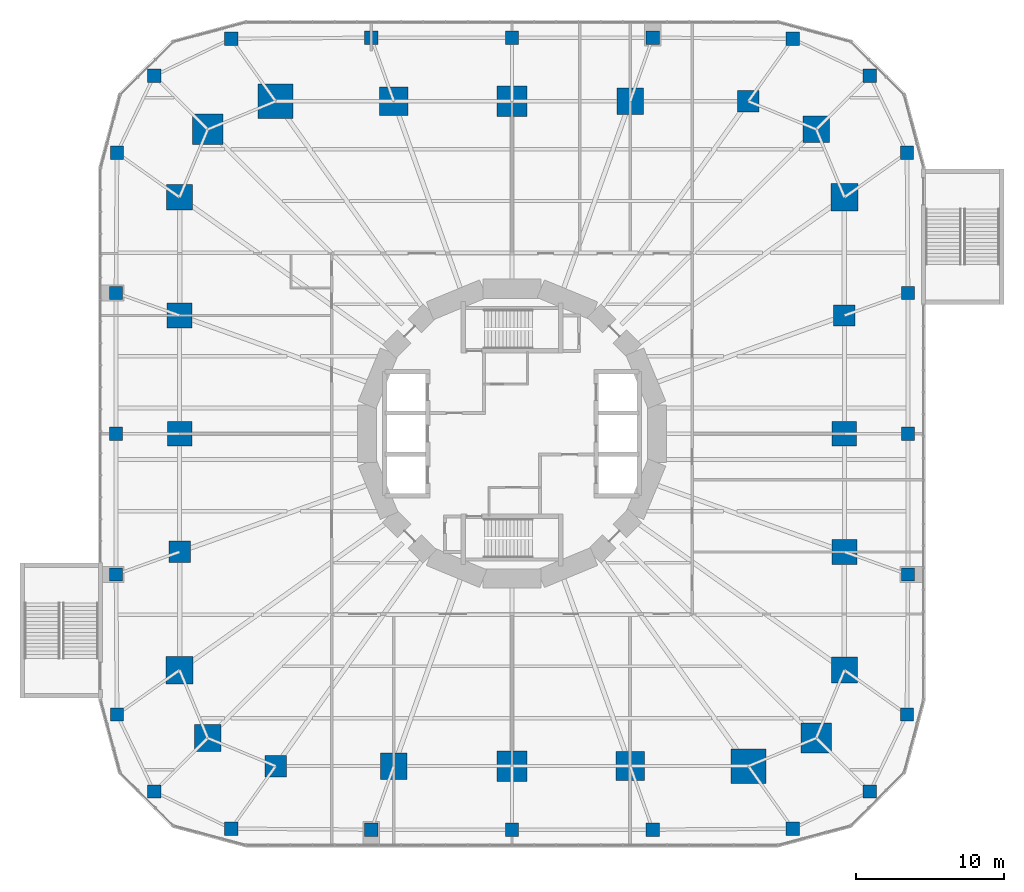
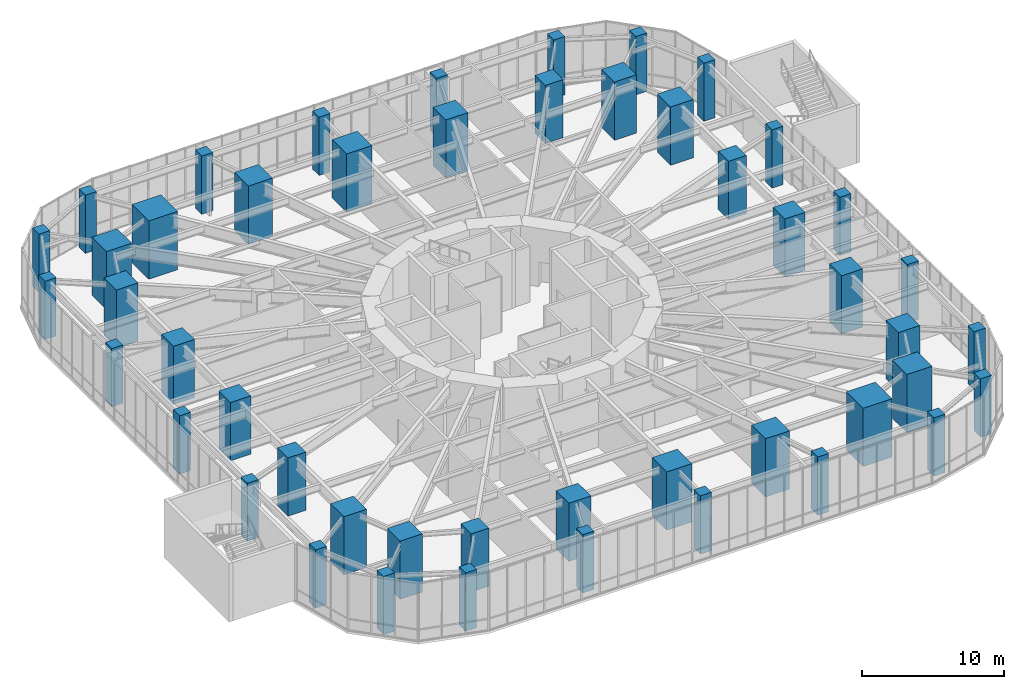
# One storey, part 1 of 24: 48 columns.
"""IFC4 building model written with IfcOpenShell, lengths in metres."""

import ifcopenshell
import ifcopenshell.guid

model = None  # the IFC model being written
_history = None  # IfcOwnerHistory: only IFC2X3 demands one
_inside = {}  # id of a spatial element -> (the spatial element, [elements in it])
_under = {}  # id of a project, library or spatial element -> (it, [spatial elements below it])
_declared = {}  # id of a project -> (the project, [libraries it declares])
_typed = {}  # id of a type object -> (the type object, [elements of that type])
_made_of = {}  # id of a material, layer set ... -> (it, [elements and type objects made of it])


def new_model(schema):
    """Start an empty IFC model of exactly this schema.

    Asked for "IFC4X3", IfcOpenShell would pick the latest addendum, in which some entities
    have other attributes; the version numbers below select the first issue.
    IFC2X3 requires an IfcOwnerHistory on every rooted entity: one is made here for all.
    """
    global model, _history
    if schema == "IFC4X3":
        model = ifcopenshell.file(schema_version=(4, 3, 0, 0))
    else:
        model = ifcopenshell.file(schema=schema)
    _inside.clear()
    _under.clear()
    _declared.clear()
    _typed.clear()
    _made_of.clear()
    _history = None
    if model.schema == "IFC2X3":
        org = make("IfcOrganization", Name="unknown")
        user = make(
            "IfcPersonAndOrganization",
            ThePerson=make("IfcPerson", FamilyName="unknown"),
            TheOrganization=org,
        )
        app = make(
            "IfcApplication",
            ApplicationDeveloper=org,
            Version="unknown",
            ApplicationFullName="unknown",
            ApplicationIdentifier="unknown",
        )
        _history = make(
            "IfcOwnerHistory",
            OwningUser=user,
            OwningApplication=app,
            ChangeAction="ADDED",
            CreationDate=0,
        )
    return model


def make(cls, **values):
    """One entity of the class cls with the attributes given. An attribute that is None is left unset."""
    return model.create_entity(
        cls, **{name: value for name, value in values.items() if value is not None}
    )


def rooted(cls, **values):
    """An entity with a GlobalId (a new one), such as an element, a storey or a relation."""
    return make(cls, GlobalId=ifcopenshell.guid.new(), OwnerHistory=_history, **values)


def si_unit(unit_type, name, prefix=None):
    """IfcSIUnit, for example si_unit("LENGTHUNIT", "METRE", prefix="MILLI")."""
    return make("IfcSIUnit", UnitType=unit_type, Prefix=prefix, Name=name)


def assignment(units):
    """IfcUnitAssignment: the units of a project."""
    return None if units is None else make("IfcUnitAssignment", Units=units)


def point(xyz):
    """IfcCartesianPoint."""
    return None if xyz is None else make("IfcCartesianPoint", Coordinates=xyz)


def direction(xyz):
    """IfcDirection."""
    return None if xyz is None else make("IfcDirection", DirectionRatios=xyz)


def frame(location, z_axis=None, x_axis=None):
    """IfcAxis2Placement3D, a coordinate frame: its origin and axes. An axis left out is left unset."""
    return make(
        "IfcAxis2Placement3D",
        Location=point(location),
        Axis=direction(z_axis),
        RefDirection=direction(x_axis),
    )


def frame_2d(location, x_axis=None):
    """IfcAxis2Placement2D, a coordinate frame in the plane: its origin and x axis."""
    return make(
        "IfcAxis2Placement2D", Location=point(location), RefDirection=direction(x_axis)
    )


def origin():
    """The frame at (0, 0, 0) with its axes left unset."""
    return frame((0.0, 0.0, 0.0))


def origin_2d():
    """The frame at (0, 0) in the plane with its x axis left unset."""
    return frame_2d((0.0, 0.0))


def place(relative_to, where):
    """IfcLocalPlacement: puts the frame where relative to a parent placement (None: the world)."""
    return make(
        "IfcLocalPlacement", PlacementRelTo=relative_to, RelativePlacement=where
    )


def context(
    kind, dimensions, precision=None, world=None, true_north=None, identifier=None
):
    """IfcGeometricRepresentationContext, for example the 3D "Model" context."""
    return make(
        "IfcGeometricRepresentationContext",
        ContextIdentifier=identifier,
        ContextType=kind,
        CoordinateSpaceDimension=dimensions,
        Precision=precision,
        WorldCoordinateSystem=world,
        TrueNorth=true_north,
    )


def subcontext(parent, identifier, kind, view, scale=None):
    """IfcGeometricRepresentationSubContext, for example "Body" below "Model"."""
    return make(
        "IfcGeometricRepresentationSubContext",
        ContextIdentifier=identifier,
        ContextType=kind,
        ParentContext=parent,
        TargetScale=scale,
        TargetView=view,
    )


def project(units=None, contexts=None):
    """IfcProject with its units and contexts."""
    return rooted(
        "IfcProject",
        Name="project",
        RepresentationContexts=contexts,
        UnitsInContext=assignment(units),
    )


def spatial(cls, under=None, at=None, **own):
    """A site, building, storey or space (cls), placed at a placement, below another one or the project."""
    s = rooted(cls, ObjectPlacement=at, **own)
    if under is not None:
        _under.setdefault(under.id(), (under, []))[1].append(s)
    return s


def profile(cls, at=None, kind="AREA", **sizes):
    """A parametric profile (cls). Its sizes go by their IFC names, for example OverallWidth=200.0."""
    return make(cls, ProfileType=kind, Position=at, **sizes)


def rectangle(**sizes):
    """IfcRectangleProfileDef."""
    return profile("IfcRectangleProfileDef", **sizes)


def extrude(swept, where, along, depth):
    """IfcExtrudedAreaSolid: the profile swept, set in the frame where, extruded along a direction by depth."""
    return make(
        "IfcExtrudedAreaSolid",
        SweptArea=swept,
        Position=where,
        ExtrudedDirection=direction(along),
        Depth=depth,
    )


def shape(context_of_items, identifier, shape_type, items):
    """IfcShapeRepresentation: the items that make up one representation, for example the "Body"."""
    return make(
        "IfcShapeRepresentation",
        ContextOfItems=context_of_items,
        RepresentationIdentifier=identifier,
        RepresentationType=shape_type,
        Items=items,
    )


def material(Name=None, Category=None):
    """IfcMaterial."""
    return make("IfcMaterial", Name=Name, Category=Category)


def material_profile(
    of_material, cross_section, Name=None, Category=None, Priority=None
):
    """IfcMaterialProfile: a cross section and its material."""
    return make(
        "IfcMaterialProfile",
        Name=Name,
        Material=of_material,
        Profile=cross_section,
        Priority=Priority,
        Category=Category,
    )


def profile_set(profiles, Name=None, composite=None):
    """IfcMaterialProfileSet."""
    return make(
        "IfcMaterialProfileSet",
        Name=Name,
        MaterialProfiles=profiles,
        CompositeProfile=composite,
    )


def made_of(thing, what):
    """Note that an element or type object is made of a material, layer set ...; save() writes the relation."""
    if what is not None:
        _made_of.setdefault(what.id(), (what, []))[1].append(thing)
    return thing


def type_object(cls, material=None, **own):
    """A type object (cls), such as IfcWallType, which elements share."""
    return made_of(rooted(cls, **own), material)


def element(
    cls,
    number,
    at=None,
    inside=None,
    cuts=None,
    type_object=None,
    material=None,
    context=None,
    identifier="Body",
    shape_type=None,
    held_by="IfcProductDefinitionShape",
    body=None,
    shapes=None,
    **own,
):
    """One element of the class cls, such as IfcWall. Its Tag is "e" and its number.

    at: its placement. inside: the storey or other place that contains it. cuts: it is an
    opening in that element (IfcRelVoidsElement). A single representation is given by context,
    identifier, shape_type and body (its items); several are given by shapes. held_by: the class
    of the entity that holds the representations. save() writes the other relations.
    """
    e = rooted(cls, Tag="e%d" % number, ObjectPlacement=at, **own)
    if body is not None:
        shapes = [shape(context, identifier, shape_type, body)]
    if shapes is not None:
        e.Representation = make(held_by, Representations=shapes)
    if inside is not None:
        _inside.setdefault(inside.id(), (inside, []))[1].append(e)
    if cuts is not None:
        rooted(
            "IfcRelVoidsElement", RelatingBuildingElement=cuts, RelatedOpeningElement=e
        )
    if type_object is not None:
        _typed.setdefault(type_object.id(), (type_object, []))[1].append(e)
    return made_of(e, material)


def aggregate(whole, parts):
    """IfcRelAggregates: a whole, such as a stair, and the parts it consists of."""
    return rooted("IfcRelAggregates", RelatingObject=whole, RelatedObjects=parts)


def save(model, path):
    """Write the relations noted so far, then the file.

    IfcRelAggregates (storeys below a building ...), IfcRelContainedInSpatialStructure (elements
    in a storey), IfcRelDefinesByType, IfcRelAssociatesMaterial and IfcRelDeclares: one each for
    every whole, place, type object, material and project.
    """
    for whole, parts in _under.values():
        aggregate(whole, parts)
    for where, things in _inside.values():
        rooted(
            "IfcRelContainedInSpatialStructure",
            RelatedElements=things,
            RelatingStructure=where,
        )
    for kind, things in _typed.values():
        rooted("IfcRelDefinesByType", RelatedObjects=things, RelatingType=kind)
    for what, things in _made_of.values():
        rooted("IfcRelAssociatesMaterial", RelatedObjects=things, RelatingMaterial=what)
    for by, libraries in _declared.values():
        rooted("IfcRelDeclares", RelatingContext=by, RelatedDefinitions=libraries)
    model.write(path)


model = new_model("IFC4")

# Units and contexts
model_context = context("Model", 3, precision=1e-05, world=origin(), true_north=direction((0.0, 1.0)))
body_context = subcontext(model_context, "Body", "Model", "MODEL_VIEW")
ifc_project = project(units=[si_unit("LENGTHUNIT", "METRE"), si_unit("AREAUNIT", "SQUARE_METRE"), si_unit("VOLUMEUNIT", "CUBIC_METRE"), si_unit("PLANEANGLEUNIT", "RADIAN"), si_unit("MASSUNIT", "GRAM", prefix="KILO")], contexts=[model_context])

# Site, building, storey
site_placement = place(None, origin())
site = spatial("IfcSite", under=ifc_project, at=site_placement, CompositionType="ELEMENT")
building_placement = place(site_placement, origin())
building = spatial("IfcBuilding", under=site, at=building_placement, Name="Nakasero Lantern House", CompositionType="ELEMENT")
storey_placement = place(building_placement, frame((0.0, 0.0, 6.0)))
storey = spatial("IfcBuildingStorey", under=building, at=storey_placement, Name="L01", CompositionType="ELEMENT", Elevation=6.0)

# Columns
ifc_material_1 = material(Name="Concrete C50/60", Category="concrete")
ifc_material_profile_1 = material_profile(ifc_material_1, rectangle(XDim=1.800048828125, YDim=1.800048828125, at=origin_2d()), Name="RC 1800x1800")
ifc_profile_set_1 = profile_set([ifc_material_profile_1], Name="Concrete C50/60")
column_type_1 = type_object("IfcColumnType", Name="Mega column RC 1800x1800 C50/60", PredefinedType="COLUMN", material=ifc_profile_set_1)
for number, where, z_axis, x_axis, name in (
    (1, (20.59619140625, 20.59619140625, 0.0), (0.0, 0.0, 1.0), (1.0, 0.0, 0.0), "Column B1-C06 L01"),
    (2, (-20.59619140625, -20.59619140625, 0.0), (0.0, 0.0, 1.0), (1.0, 0.0, 0.0), "Column B1-C18 L01"),
):
    element("IfcColumn", number, at=place(storey_placement, frame(where, z_axis=z_axis, x_axis=x_axis)), inside=storey, type_object=column_type_1, Name=name, PredefinedType="COLUMN", context=body_context, shape_type="SweptSolid", body=[
        extrude(rectangle(XDim=1.800048828125, YDim=1.800048828125, at=origin_2d()), origin(), (0.0, 0.0, 1.0), 5.0),
    ])
ifc_material_2 = material(Name="Concrete C50/60", Category="concrete")
ifc_material_profile_2 = material_profile(ifc_material_2, rectangle(XDim=2.050048828125, YDim=2.050048828125, at=origin_2d()), Name="RC 2050x2050")
ifc_profile_set_2 = profile_set([ifc_material_profile_2], Name="Concrete C50/60")
column_type_2 = type_object("IfcColumnType", Name="Mega column RC 2050x2050 C50/60", PredefinedType="COLUMN", material=ifc_profile_set_2)
for number, where, z_axis, x_axis, name in (
    (3, (-20.59619140625, 20.59619140625, 0.0), (0.0, 0.0, 1.0), (1.0, 0.0, 0.0), "Column B1-C12 L01"),
    (4, (20.59619140625, -20.59619140625, 0.0), (0.0, 0.0, 1.0), (1.0, 0.0, 0.0), "Column B1-C24 L01"),
):
    element("IfcColumn", number, at=place(storey_placement, frame(where, z_axis=z_axis, x_axis=x_axis)), inside=storey, type_object=column_type_2, Name=name, PredefinedType="COLUMN", context=body_context, shape_type="SweptSolid", body=[
        extrude(rectangle(XDim=2.050048828125, YDim=2.050048828125, at=origin_2d()), origin(), (0.0, 0.0, 1.0), 5.0),
    ])
ifc_material_3 = material(Name="Concrete C50/60", Category="concrete")
ifc_material_profile_3 = material_profile(ifc_material_3, rectangle(XDim=1.449951171875, YDim=1.449951171875, at=origin_2d()), Name="RC 1450x1450")
ifc_profile_set_3 = profile_set([ifc_material_profile_3], Name="Concrete C50/60")
column_type_3 = type_object("IfcColumnType", Name="Ring column RC 1450x1450 C50/60", PredefinedType="COLUMN", material=ifc_profile_set_3)
for number, where, z_axis, x_axis, name in (
    (5, (22.5, 8.0, 0.0), (0.0, 0.0, 1.0), (1.0, 0.0, 0.0), "Column B1-C04 L01"),
    (6, (16.0, 22.5, 0.0), (0.0, 0.0, 1.0), (1.0, 0.0, 0.0), "Column B1-C07 L01"),
    (7, (-22.5, -8.0, 0.0), (0.0, 0.0, 1.0), (1.0, 0.0, 0.0), "Column B1-C16 L01"),
    (8, (-16.0, -22.5, 0.0), (0.0, 0.0, 1.0), (1.0, 0.0, 0.0), "Column B1-C19 L01"),
):
    element("IfcColumn", number, at=place(storey_placement, frame(where, z_axis=z_axis, x_axis=x_axis)), inside=storey, type_object=column_type_3, Name=name, PredefinedType="COLUMN", context=body_context, shape_type="SweptSolid", body=[
        extrude(rectangle(XDim=1.449951171875, YDim=1.449951171875, at=origin_2d()), origin(), (0.0, 0.0, 1.0), 5.0),
    ])
ifc_material_4 = material(Name="Concrete C50/60", Category="concrete")
ifc_material_profile_4 = material_profile(ifc_material_4, rectangle(XDim=1.64990234375, YDim=1.64990234375, at=origin_2d()), Name="RC 1650x1650")
ifc_profile_set_4 = profile_set([ifc_material_profile_4], Name="Concrete C50/60")
column_type_4 = type_object("IfcColumnType", Name="Ring column RC 1650x1650 C50/60", PredefinedType="COLUMN", material=ifc_profile_set_4)
for number, where, z_axis, x_axis, name in (
    (9, (22.5, 0.0, 0.0), (0.0, 0.0, 1.0), (1.0, 0.0, 0.0), "Column B1-C03 L01"),
    (10, (-22.5, 0.0, 0.0), (0.0, 0.0, 1.0), (1.0, 0.0, 0.0), "Column B1-C15 L01"),
):
    element("IfcColumn", number, at=place(storey_placement, frame(where, z_axis=z_axis, x_axis=x_axis)), inside=storey, type_object=column_type_4, Name=name, PredefinedType="COLUMN", context=body_context, shape_type="SweptSolid", body=[
        extrude(rectangle(XDim=1.64990234375, YDim=1.64990234375, at=origin_2d()), origin(), (0.0, 0.0, 1.0), 5.0),
    ])
ifc_material_5 = material(Name="Concrete C50/60", Category="concrete")
ifc_material_profile_5 = material_profile(ifc_material_5, rectangle(XDim=1.699951171875, YDim=1.699951171875, at=origin_2d()), Name="RC 1700x1700")
ifc_profile_set_5 = profile_set([ifc_material_profile_5], Name="Concrete C50/60")
column_type_5 = type_object("IfcColumnType", Name="Ring column RC 1700x1700 C50/60", PredefinedType="COLUMN", material=ifc_profile_set_5)
for number, where, z_axis, x_axis, name in (
    (11, (22.5, -8.0, 0.0), (0.0, 0.0, 1.0), (1.0, 0.0, 0.0), "Column B1-C02 L01"),
    (12, (-22.5, 8.0, 0.0), (0.0, 0.0, 1.0), (1.0, 0.0, 0.0), "Column B1-C14 L01"),
):
    element("IfcColumn", number, at=place(storey_placement, frame(where, z_axis=z_axis, x_axis=x_axis)), inside=storey, type_object=column_type_5, Name=name, PredefinedType="COLUMN", context=body_context, shape_type="SweptSolid", body=[
        extrude(rectangle(XDim=1.699951171875, YDim=1.699951171875, at=origin_2d()), origin(), (0.0, 0.0, 1.0), 5.0),
    ])
ifc_material_6 = material(Name="Concrete C50/60", Category="concrete")
ifc_material_profile_6 = material_profile(ifc_material_6, rectangle(XDim=1.75, YDim=1.75, at=origin_2d()), Name="RC 1750x1750")
ifc_profile_set_6 = profile_set([ifc_material_profile_6], Name="Concrete C50/60")
column_type_6 = type_object("IfcColumnType", Name="Ring column RC 1750x1750 C50/60", PredefinedType="COLUMN", material=ifc_profile_set_6)
for number, where, z_axis, x_axis, name in (
    (13, (22.5, -16.0, 0.0), (0.0, 0.0, 1.0), (1.0, 0.0, 0.0), "Column B1-C01 L01"),
    (14, (-22.5, 16.0, 0.0), (0.0, 0.0, 1.0), (1.0, 0.0, 0.0), "Column B1-C13 L01"),
):
    element("IfcColumn", number, at=place(storey_placement, frame(where, z_axis=z_axis, x_axis=x_axis)), inside=storey, type_object=column_type_6, Name=name, PredefinedType="COLUMN", context=body_context, shape_type="SweptSolid", body=[
        extrude(rectangle(XDim=1.75, YDim=1.75, at=origin_2d()), origin(), (0.0, 0.0, 1.0), 5.0),
    ])
ifc_material_7 = material(Name="Concrete C50/60", Category="concrete")
ifc_material_profile_7 = material_profile(ifc_material_7, rectangle(XDim=1.800048828125, YDim=1.800048828125, at=origin_2d()), Name="RC 1800x1800")
ifc_profile_set_7 = profile_set([ifc_material_profile_7], Name="Concrete C50/60")
column_type_7 = type_object("IfcColumnType", Name="Ring column RC 1800x1800 C50/60", PredefinedType="COLUMN", material=ifc_profile_set_7)
for number, where, z_axis, x_axis, name in (
    (15, (8.0, 22.5, 0.0), (0.0, 0.0, 1.0), (1.0, 0.0, 0.0), "Column B1-C08 L01"),
    (16, (-8.0, -22.5, 0.0), (0.0, 0.0, 1.0), (1.0, 0.0, 0.0), "Column B1-C20 L01"),
):
    element("IfcColumn", number, at=place(storey_placement, frame(where, z_axis=z_axis, x_axis=x_axis)), inside=storey, type_object=column_type_7, Name=name, PredefinedType="COLUMN", context=body_context, shape_type="SweptSolid", body=[
        extrude(rectangle(XDim=1.800048828125, YDim=1.800048828125, at=origin_2d()), origin(), (0.0, 0.0, 1.0), 5.0),
    ])
ifc_material_8 = material(Name="Concrete C50/60", Category="concrete")
ifc_material_profile_8 = material_profile(ifc_material_8, rectangle(XDim=1.85009765625, YDim=1.85009765625, at=origin_2d()), Name="RC 1850x1850")
ifc_profile_set_8 = profile_set([ifc_material_profile_8], Name="Concrete C50/60")
column_type_8 = type_object("IfcColumnType", Name="Ring column RC 1850x1850 C50/60", PredefinedType="COLUMN", material=ifc_profile_set_8)
for number, where, z_axis, x_axis, name in (
    (17, (22.5, 16.0, 0.0), (0.0, 0.0, 1.0), (1.0, 0.0, 0.0), "Column B1-C05 L01"),
    (18, (-22.5, -16.0, 0.0), (0.0, 0.0, 1.0), (1.0, 0.0, 0.0), "Column B1-C17 L01"),
):
    element("IfcColumn", number, at=place(storey_placement, frame(where, z_axis=z_axis, x_axis=x_axis)), inside=storey, type_object=column_type_8, Name=name, PredefinedType="COLUMN", context=body_context, shape_type="SweptSolid", body=[
        extrude(rectangle(XDim=1.85009765625, YDim=1.85009765625, at=origin_2d()), origin(), (0.0, 0.0, 1.0), 5.0),
    ])
ifc_material_9 = material(Name="Concrete C50/60", Category="concrete")
ifc_material_profile_9 = material_profile(ifc_material_9, rectangle(XDim=1.949951171875, YDim=1.949951171875, at=origin_2d()), Name="RC 1950x1950")
ifc_profile_set_9 = profile_set([ifc_material_profile_9], Name="Concrete C50/60")
column_type_9 = type_object("IfcColumnType", Name="Ring column RC 1950x1950 C50/60", PredefinedType="COLUMN", material=ifc_profile_set_9)
for number, where, z_axis, x_axis, name in (
    (19, (-8.0, 22.5, 0.0), (0.0, 0.0, 1.0), (1.0, 0.0, 0.0), "Column B1-C10 L01"),
    (20, (8.0, -22.5, 0.0), (0.0, 0.0, 1.0), (1.0, 0.0, 0.0), "Column B1-C22 L01"),
):
    element("IfcColumn", number, at=place(storey_placement, frame(where, z_axis=z_axis, x_axis=x_axis)), inside=storey, type_object=column_type_9, Name=name, PredefinedType="COLUMN", context=body_context, shape_type="SweptSolid", body=[
        extrude(rectangle(XDim=1.949951171875, YDim=1.949951171875, at=origin_2d()), origin(), (0.0, 0.0, 1.0), 5.0),
    ])
ifc_material_10 = material(Name="Concrete C50/60", Category="concrete")
ifc_material_profile_10 = material_profile(ifc_material_10, rectangle(XDim=2.050048828125, YDim=2.050048828125, at=origin_2d()), Name="RC 2050x2050")
ifc_profile_set_10 = profile_set([ifc_material_profile_10], Name="Concrete C50/60")
column_type_10 = type_object("IfcColumnType", Name="Ring column RC 2050x2050 C50/60", PredefinedType="COLUMN", material=ifc_profile_set_10)
for number, where, z_axis, x_axis, name in (
    (21, (0.0, 22.5, 0.0), (0.0, 0.0, 1.0), (1.0, 0.0, 0.0), "Column B1-C09 L01"),
    (22, (0.0, -22.5, 0.0), (0.0, 0.0, 1.0), (1.0, 0.0, 0.0), "Column B1-C21 L01"),
):
    element("IfcColumn", number, at=place(storey_placement, frame(where, z_axis=z_axis, x_axis=x_axis)), inside=storey, type_object=column_type_10, Name=name, PredefinedType="COLUMN", context=body_context, shape_type="SweptSolid", body=[
        extrude(rectangle(XDim=2.050048828125, YDim=2.050048828125, at=origin_2d()), origin(), (0.0, 0.0, 1.0), 5.0),
    ])
ifc_material_11 = material(Name="Concrete C50/60", Category="concrete")
ifc_material_profile_11 = material_profile(ifc_material_11, rectangle(XDim=2.35009765625, YDim=2.35009765625, at=origin_2d()), Name="RC 2350x2350")
ifc_profile_set_11 = profile_set([ifc_material_profile_11], Name="Concrete C50/60")
column_type_11 = type_object("IfcColumnType", Name="Ring column RC 2350x2350 C50/60", PredefinedType="COLUMN", material=ifc_profile_set_11)
for number, where, z_axis, x_axis, name in (
    (23, (-16.0, 22.5, 0.0), (0.0, 0.0, 1.0), (1.0, 0.0, 0.0), "Column B1-C11 L01"),
    (24, (16.0, -22.5, 0.0), (0.0, 0.0, 1.0), (1.0, 0.0, 0.0), "Column B1-C23 L01"),
):
    element("IfcColumn", number, at=place(storey_placement, frame(where, z_axis=z_axis, x_axis=x_axis)), inside=storey, type_object=column_type_11, Name=name, PredefinedType="COLUMN", context=body_context, shape_type="SweptSolid", body=[
        extrude(rectangle(XDim=2.35009765625, YDim=2.35009765625, at=origin_2d()), origin(), (0.0, 0.0, 1.0), 5.0),
    ])
ifc_material_12 = material(Name="Concrete C50/60", Category="concrete")
ifc_material_profile_12 = material_profile(ifc_material_12, rectangle(XDim=0.89990234375, YDim=0.89990234375, at=origin_2d()), Name="RC 900x900")
ifc_profile_set_12 = profile_set([ifc_material_profile_12], Name="Concrete C50/60")
column_type_12 = type_object("IfcColumnType", Name="Ring column RC 900x900 C50/60", PredefinedType="COLUMN", material=ifc_profile_set_12)
for number, where, z_axis, x_axis, name in (
    (25, (26.733642578125, -19.0107421875, 0.0), (0.0, 0.0, 1.0), (1.0, 0.0, 0.0), "Column POD-C01 L01"),
    (26, (26.800048828125, -9.52880859375, 0.0), (0.0, 0.0, 1.0), (1.0, 0.0, 0.0), "Column POD-C02 L01"),
    (27, (26.800048828125, 0.0, 0.0), (0.0, 0.0, 1.0), (1.0, 0.0, 0.0), "Column POD-C03 L01"),
    (28, (26.800048828125, 9.52880859375, 0.0), (0.0, 0.0, 1.0), (1.0, 0.0, 0.0), "Column POD-C04 L01"),
    (29, (26.733642578125, 19.0107421875, 0.0), (0.0, 0.0, 1.0), (1.0, 0.0, 0.0), "Column POD-C05 L01"),
    (30, (24.22265625, 24.22265625, 0.0), (0.0, 0.0, 1.0), (1.0, 0.0, 0.0), "Column POD-C06 L01"),
    (31, (19.0107421875, 26.733642578125, 0.0), (0.0, 0.0, 1.0), (1.0, 0.0, 0.0), "Column POD-C07 L01"),
    (32, (9.52880859375, 26.800048828125, 0.0), (0.0, 0.0, 1.0), (1.0, 0.0, 0.0), "Column POD-C08 L01"),
    (33, (0.0, 26.800048828125, 0.0), (0.0, 0.0, 1.0), (1.0, 0.0, 0.0), "Column POD-C09 L01"),
    (34, (-9.52880859375, 26.800048828125, 0.0), (0.0, 0.0, 1.0), (1.0, 0.0, 0.0), "Column POD-C10 L01"),
    (35, (-19.0107421875, 26.733642578125, 0.0), (0.0, 0.0, 1.0), (1.0, 0.0, 0.0), "Column POD-C11 L01"),
    (36, (-24.22265625, 24.22265625, 0.0), (0.0, 0.0, 1.0), (1.0, 0.0, 0.0), "Column POD-C12 L01"),
    (37, (-26.733642578125, 19.0107421875, 0.0), (0.0, 0.0, 1.0), (1.0, 0.0, 0.0), "Column POD-C13 L01"),
    (38, (-26.800048828125, 9.52880859375, 0.0), (0.0, 0.0, 1.0), (1.0, 0.0, 0.0), "Column POD-C14 L01"),
    (39, (-26.800048828125, 0.0, 0.0), (0.0, 0.0, 1.0), (1.0, 0.0, 0.0), "Column POD-C15 L01"),
    (40, (-26.800048828125, -9.52880859375, 0.0), (0.0, 0.0, 1.0), (1.0, 0.0, 0.0), "Column POD-C16 L01"),
    (41, (-26.733642578125, -19.0107421875, 0.0), (0.0, 0.0, 1.0), (1.0, 0.0, 0.0), "Column POD-C17 L01"),
    (42, (-24.22265625, -24.22265625, 0.0), (0.0, 0.0, 1.0), (1.0, 0.0, 0.0), "Column POD-C18 L01"),
    (43, (-19.0107421875, -26.733642578125, 0.0), (0.0, 0.0, 1.0), (1.0, 0.0, 0.0), "Column POD-C19 L01"),
    (44, (-9.52880859375, -26.800048828125, 0.0), (0.0, 0.0, 1.0), (1.0, 0.0, 0.0), "Column POD-C20 L01"),
    (45, (0.0, -26.800048828125, 0.0), (0.0, 0.0, 1.0), (1.0, 0.0, 0.0), "Column POD-C21 L01"),
    (46, (9.52880859375, -26.800048828125, 0.0), (0.0, 0.0, 1.0), (1.0, 0.0, 0.0), "Column POD-C22 L01"),
    (47, (19.0107421875, -26.733642578125, 0.0), (0.0, 0.0, 1.0), (1.0, 0.0, 0.0), "Column POD-C23 L01"),
    (48, (24.22265625, -24.22265625, 0.0), (0.0, 0.0, 1.0), (1.0, 0.0, 0.0), "Column POD-C24 L01"),
):
    element("IfcColumn", number, at=place(storey_placement, frame(where, z_axis=z_axis, x_axis=x_axis)), inside=storey, type_object=column_type_12, Name=name, PredefinedType="COLUMN", context=body_context, shape_type="SweptSolid", body=[
        extrude(rectangle(XDim=0.89990234375, YDim=0.89990234375, at=origin_2d()), origin(), (0.0, 0.0, 1.0), 5.0),
    ])

save(model, "model.ifc")
